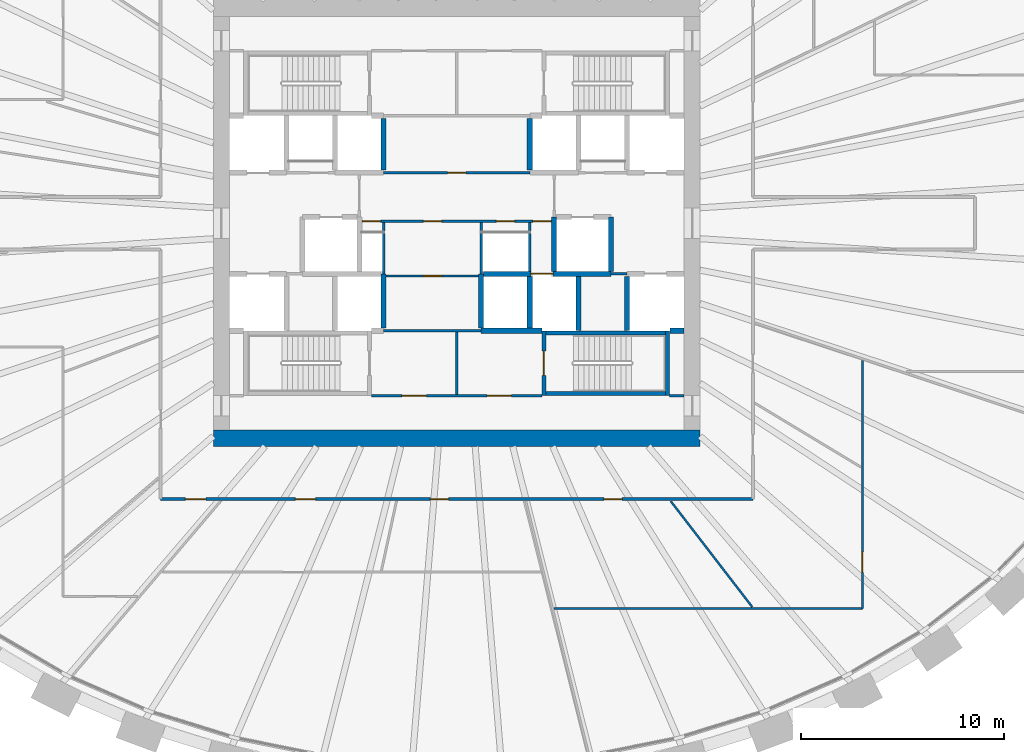
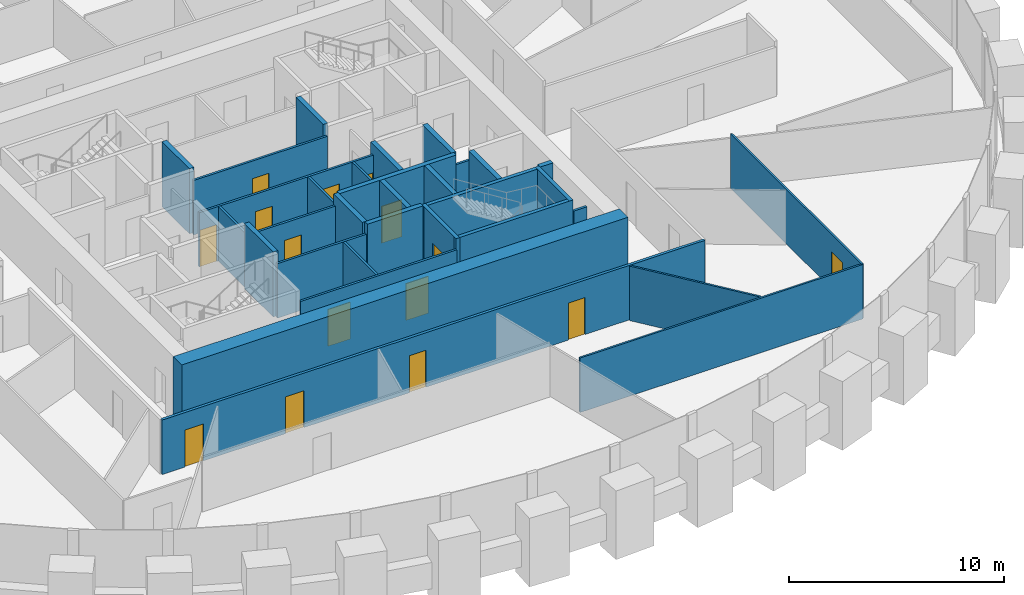
# One storey, part 7 of 11: 32 walls, 15 doors, 15 openings.
"""IFC4 building model written with IfcOpenShell, lengths in metres."""

import ifcopenshell
import ifcopenshell.guid

model = None  # the IFC model being written
_history = None  # IfcOwnerHistory: only IFC2X3 demands one
_inside = {}  # id of a spatial element -> (the spatial element, [elements in it])
_under = {}  # id of a project, library or spatial element -> (it, [spatial elements below it])
_declared = {}  # id of a project -> (the project, [libraries it declares])
_typed = {}  # id of a type object -> (the type object, [elements of that type])
_made_of = {}  # id of a material, layer set ... -> (it, [elements and type objects made of it])


def new_model(schema):
    """Start an empty IFC model of exactly this schema.

    Asked for "IFC4X3", IfcOpenShell would pick the latest addendum, in which some entities
    have other attributes; the version numbers below select the first issue.
    IFC2X3 requires an IfcOwnerHistory on every rooted entity: one is made here for all.
    """
    global model, _history
    if schema == "IFC4X3":
        model = ifcopenshell.file(schema_version=(4, 3, 0, 0))
    else:
        model = ifcopenshell.file(schema=schema)
    _inside.clear()
    _under.clear()
    _declared.clear()
    _typed.clear()
    _made_of.clear()
    _history = None
    if model.schema == "IFC2X3":
        org = make("IfcOrganization", Name="unknown")
        user = make(
            "IfcPersonAndOrganization",
            ThePerson=make("IfcPerson", FamilyName="unknown"),
            TheOrganization=org,
        )
        app = make(
            "IfcApplication",
            ApplicationDeveloper=org,
            Version="unknown",
            ApplicationFullName="unknown",
            ApplicationIdentifier="unknown",
        )
        _history = make(
            "IfcOwnerHistory",
            OwningUser=user,
            OwningApplication=app,
            ChangeAction="ADDED",
            CreationDate=0,
        )
    return model


def make(cls, **values):
    """One entity of the class cls with the attributes given. An attribute that is None is left unset."""
    return model.create_entity(
        cls, **{name: value for name, value in values.items() if value is not None}
    )


def rooted(cls, **values):
    """An entity with a GlobalId (a new one), such as an element, a storey or a relation."""
    return make(cls, GlobalId=ifcopenshell.guid.new(), OwnerHistory=_history, **values)


def si_unit(unit_type, name, prefix=None):
    """IfcSIUnit, for example si_unit("LENGTHUNIT", "METRE", prefix="MILLI")."""
    return make("IfcSIUnit", UnitType=unit_type, Prefix=prefix, Name=name)


def assignment(units):
    """IfcUnitAssignment: the units of a project."""
    return None if units is None else make("IfcUnitAssignment", Units=units)


def point(xyz):
    """IfcCartesianPoint."""
    return None if xyz is None else make("IfcCartesianPoint", Coordinates=xyz)


def direction(xyz):
    """IfcDirection."""
    return None if xyz is None else make("IfcDirection", DirectionRatios=xyz)


def frame(location, z_axis=None, x_axis=None):
    """IfcAxis2Placement3D, a coordinate frame: its origin and axes. An axis left out is left unset."""
    return make(
        "IfcAxis2Placement3D",
        Location=point(location),
        Axis=direction(z_axis),
        RefDirection=direction(x_axis),
    )


def frame_2d(location, x_axis=None):
    """IfcAxis2Placement2D, a coordinate frame in the plane: its origin and x axis."""
    return make(
        "IfcAxis2Placement2D", Location=point(location), RefDirection=direction(x_axis)
    )


def origin():
    """The frame at (0, 0, 0) with its axes left unset."""
    return frame((0.0, 0.0, 0.0))


def place(relative_to, where):
    """IfcLocalPlacement: puts the frame where relative to a parent placement (None: the world)."""
    return make(
        "IfcLocalPlacement", PlacementRelTo=relative_to, RelativePlacement=where
    )


def context(
    kind, dimensions, precision=None, world=None, true_north=None, identifier=None
):
    """IfcGeometricRepresentationContext, for example the 3D "Model" context."""
    return make(
        "IfcGeometricRepresentationContext",
        ContextIdentifier=identifier,
        ContextType=kind,
        CoordinateSpaceDimension=dimensions,
        Precision=precision,
        WorldCoordinateSystem=world,
        TrueNorth=true_north,
    )


def subcontext(parent, identifier, kind, view, scale=None):
    """IfcGeometricRepresentationSubContext, for example "Body" below "Model"."""
    return make(
        "IfcGeometricRepresentationSubContext",
        ContextIdentifier=identifier,
        ContextType=kind,
        ParentContext=parent,
        TargetScale=scale,
        TargetView=view,
    )


def project(units=None, contexts=None):
    """IfcProject with its units and contexts."""
    return rooted(
        "IfcProject",
        Name="project",
        RepresentationContexts=contexts,
        UnitsInContext=assignment(units),
    )


def spatial(cls, under=None, at=None, **own):
    """A site, building, storey or space (cls), placed at a placement, below another one or the project."""
    s = rooted(cls, ObjectPlacement=at, **own)
    if under is not None:
        _under.setdefault(under.id(), (under, []))[1].append(s)
    return s


def profile(cls, at=None, kind="AREA", **sizes):
    """A parametric profile (cls). Its sizes go by their IFC names, for example OverallWidth=200.0."""
    return make(cls, ProfileType=kind, Position=at, **sizes)


def rectangle(**sizes):
    """IfcRectangleProfileDef."""
    return profile("IfcRectangleProfileDef", **sizes)


def extrude(swept, where, along, depth):
    """IfcExtrudedAreaSolid: the profile swept, set in the frame where, extruded along a direction by depth."""
    return make(
        "IfcExtrudedAreaSolid",
        SweptArea=swept,
        Position=where,
        ExtrudedDirection=direction(along),
        Depth=depth,
    )


def shape(context_of_items, identifier, shape_type, items):
    """IfcShapeRepresentation: the items that make up one representation, for example the "Body"."""
    return make(
        "IfcShapeRepresentation",
        ContextOfItems=context_of_items,
        RepresentationIdentifier=identifier,
        RepresentationType=shape_type,
        Items=items,
    )


def source(mapping_origin, context_of_items, identifier, shape_type, items):
    """IfcRepresentationMap: a shape defined once, which mapped items show again and again."""
    return make(
        "IfcRepresentationMap",
        MappingOrigin=mapping_origin,
        MappedRepresentation=shape(context_of_items, identifier, shape_type, items),
    )


def transform(
    local_origin,
    x_axis=None,
    y_axis=None,
    z_axis=None,
    scale=None,
    scale2=None,
    scale3=None,
    uniform=True,
):
    """IfcCartesianTransformationOperator3D, or its non-uniform kind. x_axis, y_axis, z_axis: its Axis1, 2, 3."""
    if uniform:
        return make(
            "IfcCartesianTransformationOperator3D",
            Axis1=direction(x_axis),
            Axis2=direction(y_axis),
            LocalOrigin=point(local_origin),
            Scale=scale,
            Axis3=direction(z_axis),
        )
    return make(
        "IfcCartesianTransformationOperator3DnonUniform",
        Axis1=direction(x_axis),
        Axis2=direction(y_axis),
        LocalOrigin=point(local_origin),
        Scale=scale,
        Axis3=direction(z_axis),
        Scale2=scale2,
        Scale3=scale3,
    )


def mapped(mapping_source, mapping_target):
    """IfcMappedItem: shows the shape of a source again, moved by a transform."""
    return make(
        "IfcMappedItem", MappingSource=mapping_source, MappingTarget=mapping_target
    )


def material(Name=None, Category=None):
    """IfcMaterial."""
    return make("IfcMaterial", Name=Name, Category=Category)


def layer(
    of_material, thickness, ventilated=None, Name=None, Category=None, Priority=None
):
    """IfcMaterialLayer: one layer of a wall or slab, of a material (None: an air gap)."""
    return make(
        "IfcMaterialLayer",
        Material=of_material,
        LayerThickness=thickness,
        IsVentilated=ventilated,
        Name=Name,
        Category=Category,
        Priority=Priority,
    )


def layer_set(layers, Name=None):
    """IfcMaterialLayerSet."""
    return make("IfcMaterialLayerSet", MaterialLayers=layers, LayerSetName=Name)


def made_of(thing, what):
    """Note that an element or type object is made of a material, layer set ...; save() writes the relation."""
    if what is not None:
        _made_of.setdefault(what.id(), (what, []))[1].append(thing)
    return thing


def type_object(cls, material=None, **own):
    """A type object (cls), such as IfcWallType, which elements share."""
    return made_of(rooted(cls, **own), material)


def element(
    cls,
    number,
    at=None,
    inside=None,
    cuts=None,
    type_object=None,
    material=None,
    context=None,
    identifier="Body",
    shape_type=None,
    held_by="IfcProductDefinitionShape",
    body=None,
    shapes=None,
    **own,
):
    """One element of the class cls, such as IfcWall. Its Tag is "e" and its number.

    at: its placement. inside: the storey or other place that contains it. cuts: it is an
    opening in that element (IfcRelVoidsElement). A single representation is given by context,
    identifier, shape_type and body (its items); several are given by shapes. held_by: the class
    of the entity that holds the representations. save() writes the other relations.
    """
    e = rooted(cls, Tag="e%d" % number, ObjectPlacement=at, **own)
    if body is not None:
        shapes = [shape(context, identifier, shape_type, body)]
    if shapes is not None:
        e.Representation = make(held_by, Representations=shapes)
    if inside is not None:
        _inside.setdefault(inside.id(), (inside, []))[1].append(e)
    if cuts is not None:
        rooted(
            "IfcRelVoidsElement", RelatingBuildingElement=cuts, RelatedOpeningElement=e
        )
    if type_object is not None:
        _typed.setdefault(type_object.id(), (type_object, []))[1].append(e)
    return made_of(e, material)


def fill(opening, filler):
    """IfcRelFillsElement: the door or window that sits in an opening."""
    return rooted(
        "IfcRelFillsElement",
        RelatingOpeningElement=opening,
        RelatedBuildingElement=filler,
    )


def aggregate(whole, parts):
    """IfcRelAggregates: a whole, such as a stair, and the parts it consists of."""
    return rooted("IfcRelAggregates", RelatingObject=whole, RelatedObjects=parts)


def save(model, path):
    """Write the relations noted so far, then the file.

    IfcRelAggregates (storeys below a building ...), IfcRelContainedInSpatialStructure (elements
    in a storey), IfcRelDefinesByType, IfcRelAssociatesMaterial and IfcRelDeclares: one each for
    every whole, place, type object, material and project.
    """
    for whole, parts in _under.values():
        aggregate(whole, parts)
    for where, things in _inside.values():
        rooted(
            "IfcRelContainedInSpatialStructure",
            RelatedElements=things,
            RelatingStructure=where,
        )
    for kind, things in _typed.values():
        rooted("IfcRelDefinesByType", RelatedObjects=things, RelatingType=kind)
    for what, things in _made_of.values():
        rooted("IfcRelAssociatesMaterial", RelatedObjects=things, RelatingMaterial=what)
    for by, libraries in _declared.values():
        rooted("IfcRelDeclares", RelatingContext=by, RelatedDefinitions=libraries)
    model.write(path)


model = new_model("IFC4")

# Units and contexts
model_context = context("Model", 3, precision=1e-05, world=origin(), true_north=direction((0.0, 1.0)))
body_context = subcontext(model_context, "Body", "Model", "MODEL_VIEW")
ifc_project = project(units=[si_unit("LENGTHUNIT", "METRE"), si_unit("AREAUNIT", "SQUARE_METRE"), si_unit("VOLUMEUNIT", "CUBIC_METRE"), si_unit("PLANEANGLEUNIT", "RADIAN"), si_unit("MASSUNIT", "GRAM", prefix="KILO")], contexts=[model_context])

# Site, building, storey
site_placement = place(None, origin())
site = spatial("IfcSite", under=ifc_project, at=site_placement, CompositionType="ELEMENT")
building_placement = place(site_placement, origin())
building = spatial("IfcBuilding", under=site, at=building_placement, Name="Embergate Tower", CompositionType="ELEMENT")
storey_placement = place(building_placement, frame((0.0, 0.0, 199.5)))
storey = spatial("IfcBuildingStorey", under=building, at=storey_placement, Name="L45", CompositionType="ELEMENT", Elevation=199.5)

# Walls
ifc_material_1 = material(Name="Concrete C70", Category="concrete")
ifc_layer_1 = layer(ifc_material_1, 0.800048828125)
ifc_layer_set_1 = layer_set([ifc_layer_1], Name="Concrete C70")
wall_type_1 = type_object("IfcWallType", Name="Core outer wall C70 800", PredefinedType="SHEAR", material=ifc_layer_set_1)
shared_shape_1 = source(origin(), body_context, "Body", "SweptSolid", [
    extrude(rectangle(XDim=24.0, YDim=0.800048828125, at=frame_2d((12.0, 0.0))), origin(), (0.0, 0.0, 1.0), 3.89990234375),
])
wall_1_placement = place(storey_placement, frame((-12.0, -10.60009765625, -0.199951171875), z_axis=(0.0, 0.0, 1.0), x_axis=(1.0, 0.0, 0.0)))
element("IfcWall", 1, at=wall_1_placement, inside=storey, type_object=wall_type_1, Name="CW-L45-S", PredefinedType="SHEAR", context=body_context, shape_type="MappedRepresentation", body=[
    mapped(shared_shape_1, transform((0.0, 0.0, 0.0))),
])
ifc_material_2 = material(Name="Concrete C50", Category="concrete")
ifc_layer_2 = layer(ifc_material_2, 0.25)
ifc_layer_set_2 = layer_set([ifc_layer_2], Name="Concrete C50")
wall_type_2 = type_object("IfcWallType", Name="Hoistway wall reinforced concrete 250", PredefinedType="SHEAR", material=ifc_layer_set_2)
shared_shape_2 = source(origin(), body_context, "Body", "SweptSolid", [
    extrude(rectangle(XDim=2.675048828125, YDim=0.25, at=frame_2d((1.33740234375, 0.0))), origin(), (0.0, 0.0, 1.0), 3.699951171875),
])
for number, where, z_axis, x_axis, name in (
    (2, (-3.60009765625, -5.175048828125, 0.0), (0.0, 0.0, 1.0), (0.0, 1.0, 0.0), "HW-1 wall"),
    (3, (1.199951171875, -2.5, 0.0), (0.0, 0.0, 1.0), (0.0, -1.0, 0.0), "HW-1 wall"),
    (4, (4.800048828125, -2.375, 0.0), (0.0, 0.0, 1.0), (0.0, 1.0, 0.0), "HW-1 wall"),
    (5, (7.60009765625, -2.375, 0.0), (0.0, 0.0, 1.0), (0.0, 1.0, 0.0), "HW-1 wall"),
):
    element("IfcWall", number, at=place(storey_placement, frame(where, z_axis=z_axis, x_axis=x_axis)), inside=storey, type_object=wall_type_2, Name=name, PredefinedType="SHEAR", context=body_context, shape_type="MappedRepresentation", body=[
        mapped(shared_shape_2, transform((0.0, 0.0, 0.0))),
    ])
ifc_layer_3 = layer(ifc_material_2, 0.199951171875)
ifc_layer_set_3 = layer_set([ifc_layer_3], Name="Concrete C50")
wall_type_3 = type_object("IfcWallType", Name="Stair enclosure wall reinforced concrete 250", PredefinedType="SHEAR", material=ifc_layer_set_3)
shared_shape_3 = source(origin(), body_context, "Body", "SweptSolid", [
    extrude(rectangle(XDim=6.300048828125, YDim=0.199951171875, at=frame_2d((3.14990234375, 0.0))), origin(), (0.0, 0.0, 1.0), 3.699951171875),
])
for number, where, z_axis, x_axis, name in (
    (6, (4.199951171875, -5.39990234375, 0.0), (0.0, 0.0, 1.0), (1.0, 0.0, 0.0), "SE-1 wall"),
    (7, (4.199951171875, -8.39990234375, 0.0), (0.0, 0.0, 1.0), (1.0, 0.0, 0.0), "SE-1 wall"),
):
    element("IfcWall", number, at=place(storey_placement, frame(where, z_axis=z_axis, x_axis=x_axis)), inside=storey, type_object=wall_type_3, Name=name, PredefinedType="SHEAR", context=body_context, shape_type="MappedRepresentation", body=[
        mapped(shared_shape_3, transform((0.0, 0.0, 0.0))),
    ])
shared_shape_4 = source(origin(), body_context, "Body", "SweptSolid", [
    extrude(rectangle(XDim=2.550048828125, YDim=0.25, at=frame_2d((1.27490234375, 0.0))), origin(), (0.0, 0.0, 1.0), 3.699951171875),
])
for number, where, z_axis, x_axis, name in (
    (8, (-3.60009765625, 2.625, 0.0), (0.0, 0.0, 1.0), (0.0, 1.0, 0.0), "HW-1 wall"),
    (9, (3.60009765625, 5.175048828125, 0.0), (0.0, 0.0, 1.0), (0.0, -1.0, 0.0), "HW-1 wall"),
    (10, (3.60009765625, -5.175048828125, 0.0), (0.0, 0.0, 1.0), (0.0, 1.0, 0.0), "HW-1 wall"),
):
    element("IfcWall", number, at=place(storey_placement, frame(where, z_axis=z_axis, x_axis=x_axis)), inside=storey, type_object=wall_type_2, Name=name, PredefinedType="SHEAR", context=body_context, shape_type="MappedRepresentation", body=[
        mapped(shared_shape_4, transform((0.0, 0.0, 0.0))),
    ])

# Wall, opening, door
shared_shape_5 = source(origin(), body_context, "Body", "SweptSolid", [
    extrude(rectangle(XDim=3.199951171875, YDim=0.199951171875, at=frame_2d((1.60009765625, 0.0))), origin(), (0.0, 0.0, 1.0), 3.699951171875),
])
wall_2_placement = place(storey_placement, frame((4.300048828125, -5.300048828125, 0.0), z_axis=(0.0, 0.0, 1.0), x_axis=(0.0, -1.0, 0.0)))
wall_2 = element("IfcWall", 11, at=wall_2_placement, inside=storey, type_object=wall_type_3, Name="SE-1 wall", PredefinedType="SHEAR", context=body_context, shape_type="MappedRepresentation", body=[
    mapped(shared_shape_5, transform((0.0, 0.0, 0.0))),
])
shared_shape_6 = source(origin(), body_context, "Body", "SweptSolid", [
    extrude(rectangle(XDim=1.199951171875, YDim=2.10009765625, at=frame_2d((0.60009765625, 1.050048828125))), frame((0.0, 0.10986328125, 0.0), z_axis=(0.0, -1.0, 0.0), x_axis=(1.0, 0.0, 0.0)), (0.0, 0.0, 1.0), 0.219970703125),
])
opening_1_placement = place(wall_2_placement, frame((1.0, 0.0, 0.0)))
opening_1 = element("IfcOpeningElement", 12, at=opening_1_placement, cuts=wall_2, Name="Opening IF-2", PredefinedType="OPENING", context=body_context, shape_type="MappedRepresentation", body=[
    mapped(shared_shape_6, transform((0.0, 0.0, 0.0))),
])
ifc_material_3 = material(Name="Stair enclosure door 1200")
door_type_1 = type_object("IfcDoorType", Name="Stair enclosure door 1200", OperationType="SINGLE_SWING_LEFT", PredefinedType="DOOR", material=ifc_material_3)
shared_shape_7 = source(origin(), body_context, "Body", "SweptSolid", [
    extrude(rectangle(XDim=1.199951171875, YDim=2.10009765625, at=frame_2d((0.60009765625, 1.050048828125))), frame((0.0, 0.02490234375, 0.0), z_axis=(0.0, -1.0, 0.0), x_axis=(1.0, 0.0, 0.0)), (0.0, 0.0, 1.0), 0.050048828125),
])
door_1_placement = place(opening_1_placement, origin())
door_1 = element("IfcDoor", 13, at=door_1_placement, inside=storey, type_object=door_type_1, Name="IF-2 door", OperationType="SINGLE_SWING_LEFT", OverallHeight=2.10009765625, OverallWidth=1.199951171875, PredefinedType="DOOR", context=body_context, shape_type="MappedRepresentation", body=[
    mapped(shared_shape_7, transform((0.0, 0.0, 0.0))),
])
fill(opening_1, door_1)

# Wall, openings, doors
ifc_material_4 = material(Name="Core partition blockwork 120")
ifc_layer_4 = layer(ifc_material_4, 0.1201171875)
ifc_layer_set_4 = layer_set([ifc_layer_4], Name="Core partition blockwork 120")
wall_type_4 = type_object("IfcWallType", Name="Core partition blockwork 120", PredefinedType="PARTITIONING", material=ifc_layer_set_4)
shared_shape_8 = source(origin(), body_context, "Body", "SweptSolid", [
    extrude(rectangle(XDim=8.39990234375, YDim=0.1201171875, at=frame_2d((4.199951171875, 0.0))), origin(), (0.0, 0.0, 1.0), 3.10009765625),
])
wall_3_placement = place(storey_placement, frame((-4.199951171875, -8.5, 0.0), z_axis=(0.0, 0.0, 1.0), x_axis=(1.0, 0.0, 0.0)))
wall_3 = element("IfcWall", 14, at=wall_3_placement, inside=storey, type_object=wall_type_4, Name="IP-3 wall", PredefinedType="PARTITIONING", context=body_context, shape_type="MappedRepresentation", body=[
    mapped(shared_shape_8, transform((0.0, 0.0, 0.0))),
])
shared_shape_9 = source(origin(), body_context, "Body", "SweptSolid", [
    extrude(rectangle(XDim=1.199951171875, YDim=2.10009765625, at=frame_2d((0.60009765625, 1.050048828125))), frame((0.0, 0.070068359375, 0.0), z_axis=(0.0, -1.0, 0.0), x_axis=(1.0, 0.0, 0.0)), (0.0, 0.0, 1.0), 0.14013671875),
])
opening_2_placement = place(wall_3_placement, frame((1.5, 0.0, 0.0)))
opening_2 = element("IfcOpeningElement", 15, at=opening_2_placement, cuts=wall_3, Name="Opening IF-3f", PredefinedType="OPENING", context=body_context, shape_type="MappedRepresentation", body=[
    mapped(shared_shape_9, transform((0.0, 0.0, 0.0))),
])
opening_3_placement = place(wall_3_placement, frame((5.699951171875, 0.0, 0.0)))
opening_3 = element("IfcOpeningElement", 16, at=opening_3_placement, cuts=wall_3, Name="Opening IF-3f", PredefinedType="OPENING", context=body_context, shape_type="MappedRepresentation", body=[
    mapped(shared_shape_9, transform((0.0, 0.0, 0.0))),
])
ifc_material_5 = material(Name="Lobby fire door pair 1200")
door_type_2 = type_object("IfcDoorType", Name="Lobby fire door pair 1200", OperationType="DOUBLE_DOOR_SINGLE_SWING", PredefinedType="DOOR", material=ifc_material_5)
door_2_placement = place(opening_2_placement, origin())
door_2 = element("IfcDoor", 17, at=door_2_placement, inside=storey, type_object=door_type_2, Name="IF-3 door", OperationType="DOUBLE_DOOR_SINGLE_SWING", OverallHeight=2.10009765625, OverallWidth=1.199951171875, PredefinedType="DOOR", context=body_context, shape_type="MappedRepresentation", body=[
    mapped(shared_shape_7, transform((0.0, 0.0, 0.0))),
])
fill(opening_2, door_2)
door_3_placement = place(opening_3_placement, origin())
door_3 = element("IfcDoor", 18, at=door_3_placement, inside=storey, type_object=door_type_2, Name="IF-3 door", OperationType="DOUBLE_DOOR_SINGLE_SWING", OverallHeight=2.10009765625, OverallWidth=1.199951171875, PredefinedType="DOOR", context=body_context, shape_type="MappedRepresentation", body=[
    mapped(shared_shape_7, transform((0.0, 0.0, 0.0))),
])
fill(opening_3, door_3)

# Wall, opening, door
shared_shape_10 = source(origin(), body_context, "Body", "SweptSolid", [
    extrude(rectangle(XDim=6.27294921875, YDim=0.25, at=frame_2d((3.136474609375, 0.0))), origin(), (0.0, 0.0, 1.0), 3.699951171875),
])
wall_4_placement = place(storey_placement, frame((7.597900390625, -2.5, 0.0), z_axis=(0.0, 0.0, 1.0), x_axis=(-1.0, 0.0, 0.0)))
wall_4 = element("IfcWall", 19, at=wall_4_placement, inside=storey, type_object=wall_type_2, Name="HW-1 wall", PredefinedType="SHEAR", context=body_context, shape_type="MappedRepresentation", body=[
    mapped(shared_shape_10, transform((0.0, 0.0, 0.0))),
])
shared_shape_11 = source(origin(), body_context, "Body", "SweptSolid", [
    extrude(rectangle(XDim=1.10009765625, YDim=2.10009765625, at=frame_2d((0.550048828125, 1.050048828125))), frame((0.0, 0.135009765625, 0.0), z_axis=(0.0, -1.0, 0.0), x_axis=(1.0, 0.0, 0.0)), (0.0, 0.0, 1.0), 0.27001953125),
])
opening_4_placement = place(wall_4_placement, frame((2.847900390625, 0.0, 0.0)))
opening_4 = element("IfcOpeningElement", 20, at=opening_4_placement, cuts=wall_4, Name="Opening LD", PredefinedType="OPENING", context=body_context, shape_type="MappedRepresentation", body=[
    mapped(shared_shape_11, transform((0.0, 0.0, 0.0))),
])
ifc_material_6 = material(Name="Landing door sliding 1100")
door_type_3 = type_object("IfcDoorType", Name="Landing door sliding 1100", OperationType="SLIDING_TO_LEFT", PredefinedType="DOOR", material=ifc_material_6)
shared_shape_12 = source(origin(), body_context, "Body", "SweptSolid", [
    extrude(rectangle(XDim=1.10009765625, YDim=2.10009765625, at=frame_2d((0.550048828125, 1.050048828125))), frame((0.0, 0.02490234375, 0.0), z_axis=(0.0, -1.0, 0.0), x_axis=(1.0, 0.0, 0.0)), (0.0, 0.0, 1.0), 0.050048828125),
])
door_4_placement = place(opening_4_placement, origin())
door_4 = element("IfcDoor", 21, at=door_4_placement, inside=storey, type_object=door_type_3, Name="LD door", OperationType="SLIDING_TO_RIGHT", OverallHeight=2.10009765625, OverallWidth=1.10009765625, PredefinedType="DOOR", context=body_context, shape_type="MappedRepresentation", body=[
    mapped(shared_shape_12, transform((0.0, 0.0, 0.0))),
])
fill(opening_4, door_4)

# Wall
shared_shape_13 = source(origin(), body_context, "Body", "SweptSolid", [
    extrude(rectangle(XDim=3.0, YDim=0.25, at=frame_2d((1.5, 0.0))), origin(), (0.0, 0.0, 1.0), 3.699951171875),
])
wall_5_placement = place(storey_placement, frame((1.199951171875, -5.300048828125, 0.0), z_axis=(0.0, 0.0, 1.0), x_axis=(1.0, 0.0, 0.0)))
element("IfcWall", 22, at=wall_5_placement, inside=storey, type_object=wall_type_2, Name="HW-1 wall", PredefinedType="SHEAR", context=body_context, shape_type="MappedRepresentation", body=[
    mapped(shared_shape_13, transform((0.0, 0.0, 0.0))),
])

# Wall, openings, doors
shared_shape_14 = source(origin(), body_context, "Body", "SweptSolid", [
    extrude(rectangle(XDim=9.35009765625, YDim=0.1201171875, at=frame_2d((4.675048828125, 0.0))), origin(), (0.0, 0.0, 1.0), 3.10009765625),
])
wall_6_placement = place(storey_placement, frame((-4.675048828125, 0.10009765625, 0.0), z_axis=(0.0, 0.0, 1.0), x_axis=(1.0, 0.0, 0.0)))
wall_6 = element("IfcWall", 23, at=wall_6_placement, inside=storey, type_object=wall_type_4, Name="IP-3 wall", PredefinedType="PARTITIONING", context=body_context, shape_type="MappedRepresentation", body=[
    mapped(shared_shape_14, transform((0.0, 0.0, 0.0))),
])
shared_shape_15 = source(origin(), body_context, "Body", "SweptSolid", [
    extrude(rectangle(XDim=0.89990234375, YDim=2.10009765625, at=frame_2d((0.449951171875, 1.050048828125))), frame((0.0, 0.070068359375, 0.0), z_axis=(0.0, -1.0, 0.0), x_axis=(1.0, 0.0, 0.0)), (0.0, 0.0, 1.0), 0.14013671875),
])
opening_5_placement = place(wall_6_placement, frame((8.425048828125, 0.0, 0.0)))
opening_5 = element("IfcOpeningElement", 24, at=opening_5_placement, cuts=wall_6, Name="Opening IF-3c", PredefinedType="OPENING", context=body_context, shape_type="MappedRepresentation", body=[
    mapped(shared_shape_15, transform((0.0, 0.0, 0.0))),
])
opening_6_placement = place(wall_6_placement, frame((0.02490234375, 0.0, 0.0)))
opening_6 = element("IfcOpeningElement", 25, at=opening_6_placement, cuts=wall_6, Name="Opening ID-1", PredefinedType="OPENING", context=body_context, shape_type="MappedRepresentation", body=[
    mapped(shared_shape_15, transform((0.0, 0.0, 0.0))),
])
opening_7_placement = place(wall_6_placement, frame((6.625, 0.0, 0.0)))
opening_7 = element("IfcOpeningElement", 26, at=opening_7_placement, cuts=wall_6, Name="Opening ID-1", PredefinedType="OPENING", context=body_context, shape_type="MappedRepresentation", body=[
    mapped(shared_shape_15, transform((0.0, 0.0, 0.0))),
])
opening_8_placement = place(wall_6_placement, frame((3.02490234375, 0.0, 0.0)))
opening_8 = element("IfcOpeningElement", 27, at=opening_8_placement, cuts=wall_6, Name="Opening ID-1", PredefinedType="OPENING", context=body_context, shape_type="MappedRepresentation", body=[
    mapped(shared_shape_15, transform((0.0, 0.0, 0.0))),
])
ifc_material_7 = material(Name="Lobby fire door pair 900")
door_type_4 = type_object("IfcDoorType", Name="Lobby fire door pair 900", OperationType="DOUBLE_DOOR_SINGLE_SWING", PredefinedType="DOOR", material=ifc_material_7)
shared_shape_16 = source(origin(), body_context, "Body", "SweptSolid", [
    extrude(rectangle(XDim=0.89990234375, YDim=2.10009765625, at=frame_2d((0.449951171875, 1.050048828125))), frame((0.0, 0.02490234375, 0.0), z_axis=(0.0, -1.0, 0.0), x_axis=(1.0, 0.0, 0.0)), (0.0, 0.0, 1.0), 0.050048828125),
])
door_5_placement = place(opening_5_placement, origin())
door_5 = element("IfcDoor", 28, at=door_5_placement, inside=storey, type_object=door_type_4, Name="IF-3 door", OperationType="DOUBLE_DOOR_SINGLE_SWING", OverallHeight=2.10009765625, OverallWidth=0.89990234375, PredefinedType="DOOR", context=body_context, shape_type="MappedRepresentation", body=[
    mapped(shared_shape_16, transform((0.0, 0.0, 0.0))),
])
fill(opening_5, door_5)
ifc_material_8 = material(Name="Interior door 900")
door_type_5 = type_object("IfcDoorType", Name="Interior door 900", OperationType="SINGLE_SWING_LEFT", PredefinedType="DOOR", material=ifc_material_8)
door_6_placement = place(opening_6_placement, origin())
door_6 = element("IfcDoor", 29, at=door_6_placement, inside=storey, type_object=door_type_5, Name="ID-1 door", OperationType="SINGLE_SWING_RIGHT", OverallHeight=2.10009765625, OverallWidth=0.89990234375, PredefinedType="DOOR", context=body_context, shape_type="MappedRepresentation", body=[
    mapped(shared_shape_16, transform((0.0, 0.0, 0.0))),
])
fill(opening_6, door_6)
door_7_placement = place(opening_7_placement, origin())
door_7 = element("IfcDoor", 30, at=door_7_placement, inside=storey, type_object=door_type_5, Name="ID-1 door", OperationType="SINGLE_SWING_LEFT", OverallHeight=2.10009765625, OverallWidth=0.89990234375, PredefinedType="DOOR", context=body_context, shape_type="MappedRepresentation", body=[
    mapped(shared_shape_16, transform((0.0, 0.0, 0.0))),
])
fill(opening_7, door_7)
door_8_placement = place(opening_8_placement, origin())
door_8 = element("IfcDoor", 31, at=door_8_placement, inside=storey, type_object=door_type_5, Name="ID-1 door", OperationType="SINGLE_SWING_LEFT", OverallHeight=2.10009765625, OverallWidth=0.89990234375, PredefinedType="DOOR", context=body_context, shape_type="MappedRepresentation", body=[
    mapped(shared_shape_16, transform((0.0, 0.0, 0.0))),
])
fill(opening_8, door_8)

# Wall, opening, door
shared_shape_17 = source(origin(), body_context, "Body", "SweptSolid", [
    extrude(rectangle(XDim=7.2001953125, YDim=0.1201171875, at=frame_2d((3.60009765625, 0.0))), origin(), (0.0, 0.0, 1.0), 3.10009765625),
])
wall_7_placement = place(storey_placement, frame((3.60009765625, 2.5, 0.0), z_axis=(0.0, 0.0, 1.0), x_axis=(-1.0, 0.0, 0.0)))
wall_7 = element("IfcWall", 32, at=wall_7_placement, inside=storey, type_object=wall_type_4, Name="IP-3 wall", PredefinedType="PARTITIONING", context=body_context, shape_type="MappedRepresentation", body=[
    mapped(shared_shape_17, transform((0.0, 0.0, 0.0))),
])
opening_9_placement = place(wall_7_placement, frame((3.14990234375, 0.0, 0.0)))
opening_9 = element("IfcOpeningElement", 33, at=opening_9_placement, cuts=wall_7, Name="Opening ID-1", PredefinedType="OPENING", context=body_context, shape_type="MappedRepresentation", body=[
    mapped(shared_shape_15, transform((0.0, 0.0, 0.0))),
])
door_9_placement = place(opening_9_placement, origin())
door_9 = element("IfcDoor", 34, at=door_9_placement, inside=storey, type_object=door_type_5, Name="ID-1 door", OperationType="SINGLE_SWING_LEFT", OverallHeight=2.10009765625, OverallWidth=0.89990234375, PredefinedType="DOOR", context=body_context, shape_type="MappedRepresentation", body=[
    mapped(shared_shape_16, transform((0.0, 0.0, 0.0))),
])
fill(opening_9, door_9)

# Walls
shared_shape_18 = source(origin(), body_context, "Body", "SweptSolid", [
    extrude(rectangle(XDim=2.5400390625, YDim=0.1201171875, at=frame_2d((1.27001953125, 0.0))), origin(), (0.0, 0.0, 1.0), 3.10009765625),
])
for number, where, z_axis, x_axis, name in (
    (35, (-3.60009765625, -2.5, 0.0), (0.0, 0.0, 1.0), (0.0, 1.0, 0.0), "IP-3 wall"),
    (36, (1.199951171875, 0.0400390625, 0.0), (0.0, 0.0, 1.0), (0.0, -1.0, 0.0), "IP-3 wall"),
):
    element("IfcWall", number, at=place(storey_placement, frame(where, z_axis=z_axis, x_axis=x_axis)), inside=storey, type_object=wall_type_4, Name=name, PredefinedType="PARTITIONING", context=body_context, shape_type="MappedRepresentation", body=[
        mapped(shared_shape_18, transform((0.0, 0.0, 0.0))),
    ])
shared_shape_19 = source(origin(), body_context, "Body", "SweptSolid", [
    extrude(rectangle(XDim=2.4150390625, YDim=0.1201171875, at=frame_2d((1.20751953125, 0.0))), origin(), (0.0, 0.0, 1.0), 3.10009765625),
])
wall_8_placement = place(storey_placement, frame((3.60009765625, -2.375, 0.0), z_axis=(0.0, 0.0, 1.0), x_axis=(0.0, 1.0, 0.0)))
element("IfcWall", 37, at=wall_8_placement, inside=storey, type_object=wall_type_4, Name="IP-3 wall", PredefinedType="PARTITIONING", context=body_context, shape_type="MappedRepresentation", body=[
    mapped(shared_shape_19, transform((0.0, 0.0, 0.0))),
])
shared_shape_20 = source(origin(), body_context, "Body", "SweptSolid", [
    extrude(rectangle(XDim=3.079833984375, YDim=0.1201171875, at=frame_2d((1.5400390625, 0.0))), origin(), (0.0, 0.0, 1.0), 3.10009765625),
])
wall_9_placement = place(storey_placement, frame((0.0, -8.43994140625, 0.0), z_axis=(0.0, 0.0, 1.0), x_axis=(0.0, 1.0, 0.0)))
element("IfcWall", 38, at=wall_9_placement, inside=storey, type_object=wall_type_4, Name="IP-3 wall", PredefinedType="PARTITIONING", context=body_context, shape_type="MappedRepresentation", body=[
    mapped(shared_shape_20, transform((0.0, 0.0, 0.0))),
])
shared_shape_21 = source(origin(), body_context, "Body", "SweptSolid", [
    extrude(rectangle(XDim=4.800048828125, YDim=0.1201171875, at=frame_2d((2.39990234375, 0.0))), origin(), (0.0, 0.0, 1.0), 3.10009765625),
])
wall_10_placement = place(storey_placement, frame((1.199951171875, -5.300048828125, 0.0), z_axis=(0.0, 0.0, 1.0), x_axis=(-1.0, 0.0, 0.0)))
element("IfcWall", 39, at=wall_10_placement, inside=storey, type_object=wall_type_4, Name="IP-3 wall", PredefinedType="PARTITIONING", context=body_context, shape_type="MappedRepresentation", body=[
    mapped(shared_shape_21, transform((0.0, 0.0, 0.0))),
])

# Wall, opening, door
shared_shape_22 = source(origin(), body_context, "Body", "SweptSolid", [
    extrude(rectangle(XDim=4.550048828125, YDim=0.1201171875, at=frame_2d((2.27490234375, 0.0))), origin(), (0.0, 0.0, 1.0), 3.10009765625),
])
wall_11_placement = place(storey_placement, frame((1.074951171875, -2.60009765625, 0.0), z_axis=(0.0, 0.0, 1.0), x_axis=(-1.0, 0.0, 0.0)))
wall_11 = element("IfcWall", 40, at=wall_11_placement, inside=storey, type_object=wall_type_4, Name="IP-3 wall", PredefinedType="PARTITIONING", context=body_context, shape_type="MappedRepresentation", body=[
    mapped(shared_shape_22, transform((0.0, 0.0, 0.0))),
])
opening_10_placement = place(wall_11_placement, frame((1.824951171875, 0.0, 0.0)))
opening_10 = element("IfcOpeningElement", 41, at=opening_10_placement, cuts=wall_11, Name="Opening ID-1", PredefinedType="OPENING", context=body_context, shape_type="MappedRepresentation", body=[
    mapped(shared_shape_15, transform((0.0, 0.0, 0.0))),
])
door_10_placement = place(opening_10_placement, origin())
door_10 = element("IfcDoor", 42, at=door_10_placement, inside=storey, type_object=door_type_5, Name="ID-1 door", OperationType="SINGLE_SWING_LEFT", OverallHeight=2.10009765625, OverallWidth=0.89990234375, PredefinedType="DOOR", context=body_context, shape_type="MappedRepresentation", body=[
    mapped(shared_shape_16, transform((0.0, 0.0, 0.0))),
])
fill(opening_10, door_10)

# Walls
shared_shape_23 = source(origin(), body_context, "Body", "SweptSolid", [
    extrude(rectangle(XDim=3.196044921875, YDim=0.199951171875, at=frame_2d((1.59814453125, 0.0))), origin(), (0.0, 0.0, 1.0), 3.699951171875),
])
wall_12_placement = place(storey_placement, frame((10.39990234375, -8.498046875, 0.0), z_axis=(0.0, 0.0, 1.0), x_axis=(0.0, 1.0, 0.0)))
element("IfcWall", 43, at=wall_12_placement, inside=storey, type_object=wall_type_3, Name="SE-1 wall", PredefinedType="SHEAR", context=body_context, shape_type="MappedRepresentation", body=[
    mapped(shared_shape_23, transform((0.0, 0.0, 0.0))),
])
shared_shape_24 = source(origin(), body_context, "Body", "SweptSolid", [
    extrude(rectangle(XDim=0.697998046875, YDim=0.25, at=frame_2d((0.34912109375, 0.0))), origin(), (0.0, 0.0, 1.0), 3.699951171875),
])
wall_13_placement = place(storey_placement, frame((10.501953125, -5.300048828125, 0.0), z_axis=(0.0, 0.0, 1.0), x_axis=(1.0, 0.0, 0.0)))
element("IfcWall", 44, at=wall_13_placement, inside=storey, type_object=wall_type_2, Name="HW-1 wall", PredefinedType="SHEAR", context=body_context, shape_type="MappedRepresentation", body=[
    mapped(shared_shape_24, transform((0.0, 0.0, 0.0))),
])
shared_shape_25 = source(origin(), body_context, "Body", "SweptSolid", [
    extrude(rectangle(XDim=2.671142578125, YDim=0.25, at=frame_2d((1.33544921875, 0.0))), origin(), (0.0, 0.0, 1.0), 3.699951171875),
])
for number, where, z_axis, x_axis, name in (
    (45, (6.0, -5.298095703125, 0.0), (0.0, 0.0, 1.0), (0.0, 1.0, 0.0), "HW-1 wall"),
    (46, (8.39990234375, -2.626953125, 0.0), (0.0, 0.0, 1.0), (0.0, -1.0, 0.0), "HW-1 wall"),
):
    element("IfcWall", number, at=place(storey_placement, frame(where, z_axis=z_axis, x_axis=x_axis)), inside=storey, type_object=wall_type_2, Name=name, PredefinedType="SHEAR", context=body_context, shape_type="MappedRepresentation", body=[
        mapped(shared_shape_25, transform((0.0, 0.0, 0.0))),
    ])
shared_shape_26 = source(origin(), body_context, "Body", "SweptSolid", [
    extrude(rectangle(XDim=0.7958984375, YDim=0.1201171875, at=frame_2d((0.39794921875, 0.0))), origin(), (0.0, 0.0, 1.0), 3.10009765625),
])
wall_14_placement = place(storey_placement, frame((7.60205078125, -2.5, 0.0), z_axis=(0.0, 0.0, 1.0), x_axis=(1.0, 0.0, 0.0)))
element("IfcWall", 47, at=wall_14_placement, inside=storey, type_object=wall_type_4, Name="IP-3 wall", PredefinedType="PARTITIONING", context=body_context, shape_type="MappedRepresentation", body=[
    mapped(shared_shape_26, transform((0.0, 0.0, 0.0))),
])
shared_shape_27 = source(origin(), body_context, "Body", "SweptSolid", [
    extrude(rectangle(XDim=0.697998046875, YDim=0.1201171875, at=frame_2d((0.34912109375, 0.0))), origin(), (0.0, 0.0, 1.0), 3.10009765625),
])
wall_15_placement = place(storey_placement, frame((11.199951171875, -8.5, 0.0), z_axis=(0.0, 0.0, 1.0), x_axis=(-1.0, 0.0, 0.0)))
element("IfcWall", 48, at=wall_15_placement, inside=storey, type_object=wall_type_4, Name="IP-3 wall", PredefinedType="PARTITIONING", context=body_context, shape_type="MappedRepresentation", body=[
    mapped(shared_shape_27, transform((0.0, 0.0, 0.0))),
])

# Wall, openings, doors
ifc_material_9 = material(Name="Corridor wall dry-lined 150")
ifc_layer_5 = layer(ifc_material_9, 0.14990234375)
ifc_layer_set_5 = layer_set([ifc_layer_5], Name="Corridor wall dry-lined 150")
wall_type_5 = type_object("IfcWallType", Name="Corridor wall dry-lined 150", PredefinedType="PARTITIONING", material=ifc_layer_set_5)
shared_shape_28 = source(origin(), body_context, "Body", "SweptSolid", [
    extrude(rectangle(XDim=29.2001953125, YDim=0.14990234375, at=frame_2d((14.60009765625, 0.0))), origin(), (0.0, 0.0, 1.0), 3.10009765625),
])
wall_16_placement = place(storey_placement, frame((14.60009765625, -13.60009765625, 0.0), z_axis=(0.0, 0.0, 1.0), x_axis=(-1.0, 0.0, 0.0)))
wall_16 = element("IfcWall", 49, at=wall_16_placement, inside=storey, type_object=wall_type_5, Name="IP-2 wall", PredefinedType="PARTITIONING", context=body_context, shape_type="MappedRepresentation", body=[
    mapped(shared_shape_28, transform((0.0, 0.0, 0.0))),
])
shared_shape_29 = source(origin(), body_context, "Body", "SweptSolid", [
    extrude(rectangle(XDim=1.0, YDim=2.10009765625, at=frame_2d((0.5, 1.050048828125))), frame((0.0, 0.0849609375, 0.0), z_axis=(0.0, -1.0, 0.0), x_axis=(1.0, 0.0, 0.0)), (0.0, 0.0, 1.0), 0.169921875),
])
opening_11_placement = place(wall_16_placement, frame((26.972900390625, 0.0, 0.0)))
opening_11 = element("IfcOpeningElement", 50, at=opening_11_placement, cuts=wall_16, Name="Opening ID-2", PredefinedType="OPENING", context=body_context, shape_type="MappedRepresentation", body=[
    mapped(shared_shape_29, transform((0.0, 0.0, 0.0))),
])
opening_12_placement = place(wall_16_placement, frame((21.56005859375, 0.0, 0.0)))
opening_12 = element("IfcOpeningElement", 51, at=opening_12_placement, cuts=wall_16, Name="Opening ID-2", PredefinedType="OPENING", context=body_context, shape_type="MappedRepresentation", body=[
    mapped(shared_shape_29, transform((0.0, 0.0, 0.0))),
])
shared_shape_30 = source(origin(), body_context, "Body", "SweptSolid", [
    extrude(rectangle(XDim=0.89990234375, YDim=2.10009765625, at=frame_2d((0.449951171875, 1.050048828125))), frame((0.0, 0.0849609375, 0.0), z_axis=(0.0, -1.0, 0.0), x_axis=(1.0, 0.0, 0.0)), (0.0, 0.0, 1.0), 0.169921875),
])
opening_13_placement = place(wall_16_placement, frame((14.9970703125, 0.0, 0.0)))
opening_13 = element("IfcOpeningElement", 52, at=opening_13_placement, cuts=wall_16, Name="Opening IF-1c", PredefinedType="OPENING", context=body_context, shape_type="MappedRepresentation", body=[
    mapped(shared_shape_30, transform((0.0, 0.0, 0.0))),
])
opening_14_placement = place(wall_16_placement, frame((6.44091796875, 0.0, 0.0)))
opening_14 = element("IfcOpeningElement", 53, at=opening_14_placement, cuts=wall_16, Name="Opening IF-1c", PredefinedType="OPENING", context=body_context, shape_type="MappedRepresentation", body=[
    mapped(shared_shape_30, transform((0.0, 0.0, 0.0))),
])
ifc_material_10 = material(Name="Escape fire door 900")
door_type_6 = type_object("IfcDoorType", Name="Escape fire door 900", OperationType="SINGLE_SWING_LEFT", PredefinedType="DOOR", material=ifc_material_10)
door_11_placement = place(opening_13_placement, origin())
door_11 = element("IfcDoor", 54, at=door_11_placement, inside=storey, type_object=door_type_6, Name="IF-1 door", OperationType="SINGLE_SWING_RIGHT", OverallHeight=2.10009765625, OverallWidth=0.89990234375, PredefinedType="DOOR", context=body_context, shape_type="MappedRepresentation", body=[
    mapped(shared_shape_16, transform((0.0, 0.0, 0.0))),
])
fill(opening_13, door_11)
door_12_placement = place(opening_14_placement, origin())
door_12 = element("IfcDoor", 55, at=door_12_placement, inside=storey, type_object=door_type_6, Name="IF-1 door", OperationType="SINGLE_SWING_LEFT", OverallHeight=2.10009765625, OverallWidth=0.89990234375, PredefinedType="DOOR", context=body_context, shape_type="MappedRepresentation", body=[
    mapped(shared_shape_16, transform((0.0, 0.0, 0.0))),
])
fill(opening_14, door_12)
ifc_material_11 = material(Name="Interior door 1000")
door_type_7 = type_object("IfcDoorType", Name="Interior door 1000", OperationType="SINGLE_SWING_LEFT", PredefinedType="DOOR", material=ifc_material_11)
shared_shape_31 = source(origin(), body_context, "Body", "SweptSolid", [
    extrude(rectangle(XDim=1.0, YDim=2.10009765625, at=frame_2d((0.5, 1.050048828125))), frame((0.0, 0.02490234375, 0.0), z_axis=(0.0, -1.0, 0.0), x_axis=(1.0, 0.0, 0.0)), (0.0, 0.0, 1.0), 0.050048828125),
])
door_13_placement = place(opening_11_placement, origin())
door_13 = element("IfcDoor", 56, at=door_13_placement, inside=storey, type_object=door_type_7, Name="ID-2 door", OperationType="SINGLE_SWING_RIGHT", OverallHeight=2.10009765625, OverallWidth=1.0, PredefinedType="DOOR", context=body_context, shape_type="MappedRepresentation", body=[
    mapped(shared_shape_31, transform((0.0, 0.0, 0.0))),
])
fill(opening_11, door_13)
door_14_placement = place(opening_12_placement, origin())
door_14 = element("IfcDoor", 57, at=door_14_placement, inside=storey, type_object=door_type_7, Name="ID-2 door", OperationType="SINGLE_SWING_RIGHT", OverallHeight=2.10009765625, OverallWidth=1.0, PredefinedType="DOOR", context=body_context, shape_type="MappedRepresentation", body=[
    mapped(shared_shape_31, transform((0.0, 0.0, 0.0))),
])
fill(opening_12, door_14)

# Walls
ifc_material_12 = material(Name="Partition dry-lined 100")
ifc_layer_6 = layer(ifc_material_12, 0.10009765625)
ifc_layer_set_6 = layer_set([ifc_layer_6], Name="Partition dry-lined 100")
wall_type_6 = type_object("IfcWallType", Name="Partition dry-lined 100", PredefinedType="PARTITIONING", material=ifc_layer_set_6)
shared_shape_32 = source(origin(), body_context, "Body", "SweptSolid", [
    extrude(rectangle(XDim=6.579833984375, YDim=0.10009765625, at=frame_2d((3.2900390625, 0.0))), origin(), (0.0, 0.0, 1.0), 3.10009765625),
])
wall_17_placement = place(storey_placement, frame((10.554931640625, -13.7060546875, 0.0), z_axis=(0.0, 0.0, 1.0), x_axis=(0.610209127783, -0.792240380422, 0.0)))
element("IfcWall", 58, at=wall_17_placement, inside=storey, type_object=wall_type_6, Name="IP-1 wall", PredefinedType="PARTITIONING", context=body_context, shape_type="MappedRepresentation", body=[
    mapped(shared_shape_32, transform((0.0, 0.0, 0.0))),
])
shared_shape_33 = source(origin(), body_context, "Body", "SweptSolid", [
    extrude(rectangle(XDim=15.216064453125, YDim=0.10009765625, at=frame_2d((7.60791015625, 0.0))), origin(), (0.0, 0.0, 1.0), 3.10009765625),
])
wall_18_placement = place(storey_placement, frame((20.0, -19.0, 0.0), z_axis=(0.0, 0.0, 1.0), x_axis=(-1.0, 0.0, 0.0)))
element("IfcWall", 59, at=wall_18_placement, inside=storey, type_object=wall_type_6, Name="IP-1 wall", PredefinedType="PARTITIONING", context=body_context, shape_type="MappedRepresentation", body=[
    mapped(shared_shape_33, transform((0.0, 0.0, 0.0))),
])

# Wall, opening, door
shared_shape_34 = source(origin(), body_context, "Body", "SweptSolid", [
    extrude(rectangle(XDim=12.23095703125, YDim=0.10009765625, at=frame_2d((6.115478515625, 0.0))), origin(), (0.0, 0.0, 1.0), 3.10009765625),
])
wall_19_placement = place(storey_placement, frame((20.0, -6.76904296875, 0.0), z_axis=(0.0, 0.0, 1.0), x_axis=(0.0, -1.0, 0.0)))
wall_19 = element("IfcWall", 60, at=wall_19_placement, inside=storey, type_object=wall_type_6, Name="IP-1 wall", PredefinedType="PARTITIONING", context=body_context, shape_type="MappedRepresentation", body=[
    mapped(shared_shape_34, transform((0.0, 0.0, 0.0))),
])
shared_shape_35 = source(origin(), body_context, "Body", "SweptSolid", [
    extrude(rectangle(XDim=1.0, YDim=2.10009765625, at=frame_2d((0.5, 1.050048828125))), frame((0.0, 0.06005859375, 0.0), z_axis=(0.0, -1.0, 0.0), x_axis=(1.0, 0.0, 0.0)), (0.0, 0.0, 1.0), 0.1201171875),
])
opening_15_placement = place(wall_19_placement, frame((9.4365234375, 0.0, 0.0)))
opening_15 = element("IfcOpeningElement", 61, at=opening_15_placement, cuts=wall_19, Name="Opening ID-2", PredefinedType="OPENING", context=body_context, shape_type="MappedRepresentation", body=[
    mapped(shared_shape_35, transform((0.0, 0.0, 0.0))),
])
door_15_placement = place(opening_15_placement, origin())
door_15 = element("IfcDoor", 62, at=door_15_placement, inside=storey, type_object=door_type_7, Name="ID-2 door", OperationType="SINGLE_SWING_RIGHT", OverallHeight=2.10009765625, OverallWidth=1.0, PredefinedType="DOOR", context=body_context, shape_type="MappedRepresentation", body=[
    mapped(shared_shape_31, transform((0.0, 0.0, 0.0))),
])
fill(opening_15, door_15)

save(model, "model.ifc")
